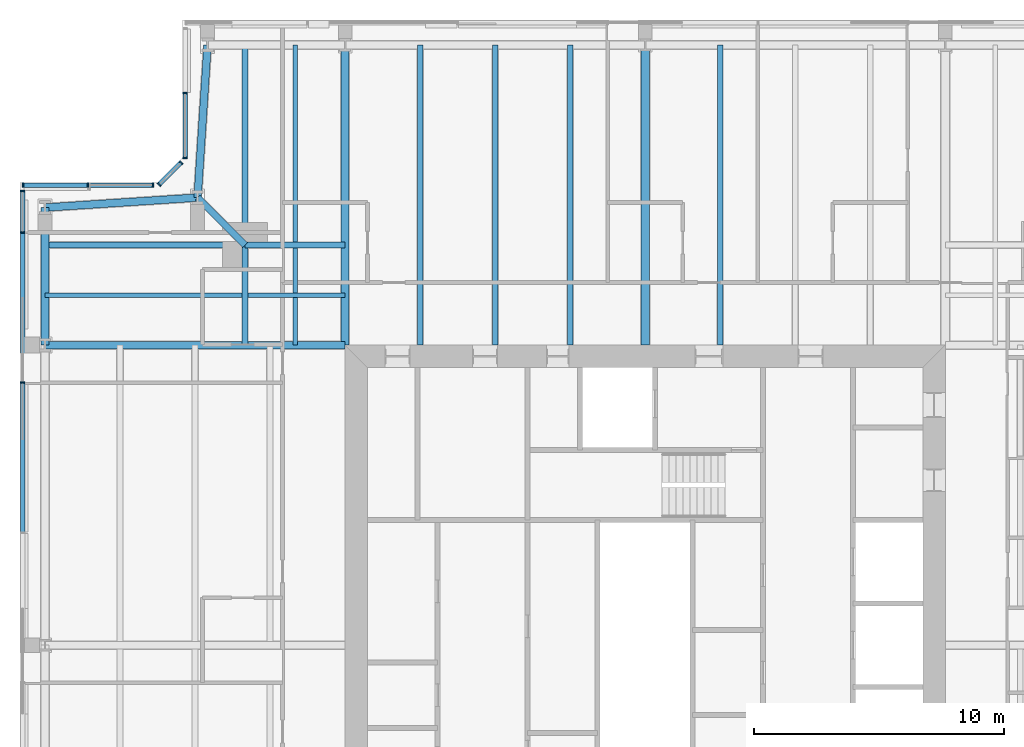
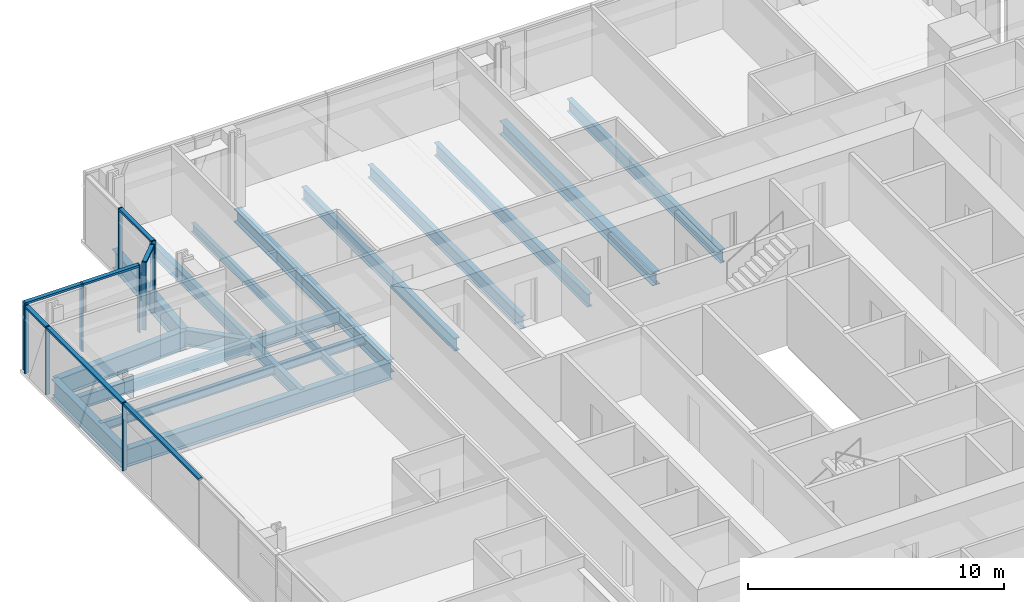
# One storey, part 7 of 20: 20 beams, 17 members, 4 elements without a shape of their own.
"""IFC4 building model written with IfcOpenShell, lengths in metres."""

from ifc_helpers import new_model, si_unit, direction, frame, origin, origin_2d, place, context, subcontext, project, spatial, rectangle, i_section, extrude, material, material_profile, profile_set, type_object, element, aggregate, save


model = new_model("IFC4")

# Units and contexts
model_context = context("Model", 3, precision=1e-05, world=origin(), true_north=direction((0.0, 1.0)))
body_context = subcontext(model_context, "Body", "Model", "MODEL_VIEW")
ifc_project = project(units=[si_unit("LENGTHUNIT", "METRE"), si_unit("AREAUNIT", "SQUARE_METRE"), si_unit("VOLUMEUNIT", "CUBIC_METRE"), si_unit("PLANEANGLEUNIT", "RADIAN"), si_unit("MASSUNIT", "GRAM", prefix="KILO")], contexts=[model_context])

# Site, building, storey
site_placement = place(None, origin())
site = spatial("IfcSite", under=ifc_project, at=site_placement, CompositionType="ELEMENT")
building_placement = place(site_placement, origin())
building = spatial("IfcBuilding", under=site, at=building_placement, Name="Fenwick Lantern Interchange", CompositionType="ELEMENT")
storey_placement = place(building_placement, frame((0.0, 0.0, 286.60009765625)))
storey = spatial("IfcBuildingStorey", under=building, at=storey_placement, Name="L69", CompositionType="ELEMENT", Elevation=286.60009765625)

# Beams
ifc_material_1 = material(Name="Steel ASTM A992 Grade 50", Category="steel")
ifc_material_profile_1 = material_profile(ifc_material_1, i_section(OverallWidth=0.3046875, OverallDepth=0.911865234375, WebThickness=0.015869140625, FlangeThickness=0.02392578125, at=origin_2d()), Name="W36X150")
ifc_profile_set_1 = profile_set([ifc_material_profile_1], Name="Steel ASTM A992 Grade 50")
beam_type_1 = type_object("IfcBeamType", Name="EDGE BEAM W36X150", PredefinedType="SPANDREL", material=ifc_profile_set_1)
for number, where, z_axis, x_axis, name in (
    (1, (7.5, 49.0, -0.60595703125), (-0.065416293237, -0.997858060337, 0.0), (0.997858060337, -0.065416293237, 0.0), "L69/FR/N/EBR1"),
    (2, (7.10009765625, 42.89990234375, -0.60595703125), (-0.997858060337, -0.065416293237, 0.0), (0.065416293237, -0.997858060337, 0.0), "L69/FR/N/EBR2"),
):
    element("IfcBeam", number, at=place(storey_placement, frame(where, z_axis=z_axis, x_axis=x_axis)), inside=storey, type_object=beam_type_1, Name=name, PredefinedType="SPANDREL", context=body_context, shape_type="SweptSolid", body=[
        extrude(i_section(OverallWidth=0.3046875, OverallDepth=0.911865234375, WebThickness=0.015869140625, FlangeThickness=0.02392578125, at=origin_2d()), origin(), (0.0, 0.0, 1.0), 6.11328125),
    ])
beam_1_placement = place(storey_placement, frame((1.0, 42.5, -0.60595703125), z_axis=(0.0, -1.0, 0.0), x_axis=(1.0, 0.0, 0.0)))
element("IfcBeam", 3, at=beam_1_placement, inside=storey, type_object=beam_type_1, Name="L69/FR/W/EB1", PredefinedType="SPANDREL", context=body_context, shape_type="SweptSolid", body=[
    extrude(i_section(OverallWidth=0.3046875, OverallDepth=0.911865234375, WebThickness=0.015869140625, FlangeThickness=0.02392578125, at=origin_2d()), origin(), (0.0, 0.0, 1.0), 5.5),
])
ifc_material_profile_2 = material_profile(ifc_material_1, i_section(OverallWidth=0.22900390625, OverallDepth=0.612060546875, WebThickness=0.011962890625, FlangeThickness=0.01953125, at=origin_2d()), Name="W24X84")
ifc_profile_set_2 = profile_set([ifc_material_profile_2], Name="Steel ASTM A992 Grade 50")
beam_type_2 = type_object("IfcBeamType", Name="FLOOR BEAM W24X84", PredefinedType="BEAM", material=ifc_profile_set_2)
for number, where, z_axis, x_axis, name in (
    (4, (28.0, 49.0, -0.4560546875), (0.0, -1.0, 0.0), (1.0, 0.0, 0.0), "L69/FR/N/R04"),
    (5, (22.0, 49.0, -0.4560546875), (0.0, -1.0, 0.0), (1.0, 0.0, 0.0), "L69/FR/N/R06"),
    (6, (19.0, 49.0, -0.4560546875), (0.0, -1.0, 0.0), (1.0, 0.0, 0.0), "L69/FR/N/R07"),
    (7, (16.0, 49.0, -0.4560546875), (0.0, -1.0, 0.0), (1.0, 0.0, 0.0), "L69/FR/N/R08"),
):
    element("IfcBeam", number, at=place(storey_placement, frame(where, z_axis=z_axis, x_axis=x_axis)), inside=storey, type_object=beam_type_2, Name=name, PredefinedType="BEAM", context=body_context, shape_type="SweptSolid", body=[
        extrude(i_section(OverallWidth=0.22900390625, OverallDepth=0.612060546875, WebThickness=0.011962890625, FlangeThickness=0.01953125, at=origin_2d()), origin(), (0.0, 0.0, 1.0), 12.0),
    ])

# Curtain wall, members
ifc_material_2 = material(Name="Aluminium curtain wall frame", Category="aluminium")
curtain_wall_type = type_object("IfcCurtainWallType", Name="HOTEL CURTAIN WALL", PredefinedType="USERDEFINED", material=ifc_material_2)
curtain_wall_1_placement = place(storey_placement, origin())
curtain_wall_1 = element("IfcCurtainWall", 8, at=curtain_wall_1_placement, inside=storey, type_object=curtain_wall_type, Name="Hotel curtain wall 10", ObjectType="HOTEL CURTAIN WALL", PredefinedType="USERDEFINED")
ifc_material_3 = material(Name="Aluminium extrusion", Category="aluminium")
ifc_material_profile_3 = material_profile(ifc_material_3, rectangle(XDim=0.179931640625, YDim=0.06005859375, at=origin_2d()), Name="HOTEL CURTAIN WALL MULLION 60 X 180")
ifc_profile_set_3 = profile_set([ifc_material_profile_3], Name="Aluminium extrusion")
member_type_1 = type_object("IfcMemberType", Name="HOTEL CURTAIN WALL MULLION 60 X 180", PredefinedType="MULLION", material=ifc_profile_set_3)
member_1_placement = place(storey_placement, frame((6.60009765625, 47.079345703125, 0.0), z_axis=(0.0, 0.0, 1.0), x_axis=(1.0, 0.0, 0.0)))
member_1 = element("IfcMember", 9, at=member_1_placement, type_object=member_type_1, Name="L69/CW/10/M01", PredefinedType="MULLION", context=body_context, shape_type="SweptSolid", body=[
    extrude(rectangle(XDim=0.179931640625, YDim=0.06005859375, at=origin_2d()), origin(), (0.0, 0.0, 1.0), 3.25),
])
member_2_placement = place(storey_placement, frame((6.60009765625, 44.488525390625, 0.0), z_axis=(0.0, 0.0, 1.0), x_axis=(1.0, 0.0, 0.0)))
member_2 = element("IfcMember", 10, at=member_2_placement, type_object=member_type_1, Name="L69/CW/10/M02", PredefinedType="MULLION", context=body_context, shape_type="SweptSolid", body=[
    extrude(rectangle(XDim=0.179931640625, YDim=0.06005859375, at=origin_2d()), origin(), (0.0, 0.0, 1.0), 3.25),
])

curtain_wall_2_placement = place(storey_placement, origin())
curtain_wall_2 = element("IfcCurtainWall", 11, at=curtain_wall_2_placement, inside=storey, type_object=curtain_wall_type, Name="Hotel curtain wall 11", ObjectType="HOTEL CURTAIN WALL", PredefinedType="USERDEFINED")
member_3_placement = place(storey_placement, frame((6.437255859375, 44.2958984375, 0.0), z_axis=(0.0, 0.0, 1.0), x_axis=(0.707106781187, -0.707106781187, 0.0)))
member_3 = element("IfcMember", 12, at=member_3_placement, type_object=member_type_1, Name="L69/CW/11/M00", PredefinedType="MULLION", context=body_context, shape_type="SweptSolid", body=[
    extrude(rectangle(XDim=0.179931640625, YDim=0.06005859375, at=origin_2d()), origin(), (0.0, 0.0, 1.0), 3.25),
])
member_4_placement = place(storey_placement, frame((5.562744140625, 43.421142578125, 0.0), z_axis=(0.0, 0.0, 1.0), x_axis=(0.707106781187, -0.707106781187, 0.0)))
member_4 = element("IfcMember", 13, at=member_4_placement, type_object=member_type_1, Name="L69/CW/11/M01", PredefinedType="MULLION", context=body_context, shape_type="SweptSolid", body=[
    extrude(rectangle(XDim=0.179931640625, YDim=0.06005859375, at=origin_2d()), origin(), (0.0, 0.0, 1.0), 3.25),
])

curtain_wall_3_placement = place(storey_placement, origin())
curtain_wall_3 = element("IfcCurtainWall", 14, at=curtain_wall_3_placement, inside=storey, type_object=curtain_wall_type, Name="Hotel curtain wall 12", ObjectType="HOTEL CURTAIN WALL", PredefinedType="USERDEFINED")
member_5_placement = place(storey_placement, frame((5.3115234375, 43.39990234375, 0.0), z_axis=(0.0, 0.0, 1.0), x_axis=(0.0, -1.0, 0.0)))
member_5 = element("IfcMember", 15, at=member_5_placement, type_object=member_type_1, Name="L69/CW/12/M00", PredefinedType="MULLION", context=body_context, shape_type="SweptSolid", body=[
    extrude(rectangle(XDim=0.179931640625, YDim=0.06005859375, at=origin_2d()), origin(), (0.0, 0.0, 1.0), 3.25),
])
member_6_placement = place(storey_placement, frame((2.720703125, 43.39990234375, 0.0), z_axis=(0.0, 0.0, 1.0), x_axis=(0.0, -1.0, 0.0)))
member_6 = element("IfcMember", 16, at=member_6_placement, type_object=member_type_1, Name="L69/CW/12/M01", PredefinedType="MULLION", context=body_context, shape_type="SweptSolid", body=[
    extrude(rectangle(XDim=0.179931640625, YDim=0.06005859375, at=origin_2d()), origin(), (0.0, 0.0, 1.0), 3.25),
])
member_7_placement = place(storey_placement, frame((0.1298828125, 43.39990234375, 0.0), z_axis=(0.0, 0.0, 1.0), x_axis=(0.0, -1.0, 0.0)))
member_7 = element("IfcMember", 17, at=member_7_placement, type_object=member_type_1, Name="L69/CW/12/M02", PredefinedType="MULLION", context=body_context, shape_type="SweptSolid", body=[
    extrude(rectangle(XDim=0.179931640625, YDim=0.06005859375, at=origin_2d()), origin(), (0.0, 0.0, 1.0), 3.25),
])

curtain_wall_4_placement = place(storey_placement, origin())
curtain_wall_4 = element("IfcCurtainWall", 18, at=curtain_wall_4_placement, inside=storey, type_object=curtain_wall_type, Name="Hotel curtain wall 13", ObjectType="HOTEL CURTAIN WALL", PredefinedType="USERDEFINED")
member_8_placement = place(storey_placement, frame((0.10009765625, 43.169921875, 0.0), z_axis=(0.0, 0.0, 1.0), x_axis=(1.0, 0.0, 0.0)))
member_8 = element("IfcMember", 19, at=member_8_placement, type_object=member_type_1, Name="L69/CW/13/M00", PredefinedType="MULLION", context=body_context, shape_type="SweptSolid", body=[
    extrude(rectangle(XDim=0.179931640625, YDim=0.06005859375, at=origin_2d()), origin(), (0.0, 0.0, 1.0), 3.25),
])
member_9_placement = place(storey_placement, frame((0.10009765625, 41.5, 0.0), z_axis=(0.0, 0.0, 1.0), x_axis=(1.0, 0.0, 0.0)))
member_9 = element("IfcMember", 20, at=member_9_placement, type_object=member_type_1, Name="L69/CW/13/M01", PredefinedType="MULLION", context=body_context, shape_type="SweptSolid", body=[
    extrude(rectangle(XDim=0.179931640625, YDim=0.06005859375, at=origin_2d()), origin(), (0.0, 0.0, 1.0), 3.25),
])
member_10_placement = place(storey_placement, frame((0.10009765625, 35.5, 0.0), z_axis=(0.0, 0.0, 1.0), x_axis=(1.0, 0.0, 0.0)))
member_10 = element("IfcMember", 21, at=member_10_placement, type_object=member_type_1, Name="L69/CW/13/M02", PredefinedType="MULLION", context=body_context, shape_type="SweptSolid", body=[
    extrude(rectangle(XDim=0.179931640625, YDim=0.06005859375, at=origin_2d()), origin(), (0.0, 0.0, 1.0), 3.25),
])

# Member
ifc_material_profile_4 = material_profile(ifc_material_3, rectangle(XDim=0.179931640625, YDim=0.10009765625, at=origin_2d()), Name="HOTEL CURTAIN WALL TRANSOM 100 X 180")
ifc_profile_set_4 = profile_set([ifc_material_profile_4], Name="Aluminium extrusion")
member_type_2 = type_object("IfcMemberType", Name="HOTEL CURTAIN WALL TRANSOM 100 X 180", PredefinedType="MULLION", material=ifc_profile_set_4)
member_11_placement = place(storey_placement, frame((6.60009765625, 47.04931640625, 3.199951171875), z_axis=(0.0, -1.0, 0.0), x_axis=(1.0, 0.0, 0.0)))
member_11 = element("IfcMember", 22, at=member_11_placement, type_object=member_type_2, Name="L69/CW/10/T01", PredefinedType="MULLION", context=body_context, shape_type="SweptSolid", body=[
    extrude(rectangle(XDim=0.179931640625, YDim=0.10009765625, at=origin_2d()), origin(), (0.0, 0.0, 1.0), 2.53076171875),
])

aggregate(curtain_wall_1, [member_1, member_2, member_11])

member_12_placement = place(storey_placement, frame((6.416259765625, 44.274658203125, 3.199951171875), z_axis=(-0.707210470133, -0.707003077033, 0.0), x_axis=(0.707003077033, -0.707210470133, 0.0)))
member_12 = element("IfcMember", 23, at=member_12_placement, type_object=member_type_2, Name="L69/CW/11/T00", PredefinedType="MULLION", context=body_context, shape_type="SweptSolid", body=[
    extrude(rectangle(XDim=0.179931640625, YDim=0.10009765625, at=origin_2d()), origin(), (0.0, 0.0, 1.0), 1.17724609375),
])

aggregate(curtain_wall_2, [member_3, member_4, member_12])

member_13_placement = place(storey_placement, frame((5.281494140625, 43.39990234375, 3.199951171875), z_axis=(-1.0, 0.0, 0.0), x_axis=(0.0, -1.0, 0.0)))
member_13 = element("IfcMember", 24, at=member_13_placement, type_object=member_type_2, Name="L69/CW/12/T00", PredefinedType="MULLION", context=body_context, shape_type="SweptSolid", body=[
    extrude(rectangle(XDim=0.179931640625, YDim=0.10009765625, at=origin_2d()), origin(), (0.0, 0.0, 1.0), 2.53076171875),
])

member_14_placement = place(storey_placement, frame((2.690673828125, 43.39990234375, 3.199951171875), z_axis=(-1.0, 0.0, 0.0), x_axis=(0.0, -1.0, 0.0)))
member_14 = element("IfcMember", 25, at=member_14_placement, type_object=member_type_2, Name="L69/CW/12/T01", PredefinedType="MULLION", context=body_context, shape_type="SweptSolid", body=[
    extrude(rectangle(XDim=0.179931640625, YDim=0.10009765625, at=origin_2d()), origin(), (0.0, 0.0, 1.0), 2.53076171875),
])

aggregate(curtain_wall_3, [member_5, member_6, member_7, member_13, member_14])

member_15_placement = place(storey_placement, frame((0.10009765625, 43.139892578125, 3.199951171875), z_axis=(0.0, -1.0, 0.0), x_axis=(1.0, 0.0, 0.0)))
member_15 = element("IfcMember", 26, at=member_15_placement, type_object=member_type_2, Name="L69/CW/13/T00", PredefinedType="MULLION", context=body_context, shape_type="SweptSolid", body=[
    extrude(rectangle(XDim=0.179931640625, YDim=0.10009765625, at=origin_2d()), origin(), (0.0, 0.0, 1.0), 1.60986328125),
])

member_16_placement = place(storey_placement, frame((0.10009765625, 41.469970703125, 3.199951171875), z_axis=(0.0, -1.0, 0.0), x_axis=(1.0, 0.0, 0.0)))
member_16 = element("IfcMember", 27, at=member_16_placement, type_object=member_type_2, Name="L69/CW/13/T01", PredefinedType="MULLION", context=body_context, shape_type="SweptSolid", body=[
    extrude(rectangle(XDim=0.179931640625, YDim=0.10009765625, at=origin_2d()), origin(), (0.0, 0.0, 1.0), 5.93994140625),
])

member_17_placement = place(storey_placement, frame((0.10009765625, 35.469970703125, 3.199951171875), z_axis=(0.0, -1.0, 0.0), x_axis=(1.0, 0.0, 0.0)))
member_17 = element("IfcMember", 28, at=member_17_placement, type_object=member_type_2, Name="L69/CW/13/T02", PredefinedType="MULLION", context=body_context, shape_type="SweptSolid", body=[
    extrude(rectangle(XDim=0.179931640625, YDim=0.10009765625, at=origin_2d()), origin(), (0.0, 0.0, 1.0), 5.93994140625),
])

aggregate(curtain_wall_4, [member_8, member_9, member_10, member_15, member_16, member_17])

# Beams
ifc_material_profile_5 = material_profile(ifc_material_1, i_section(OverallWidth=0.177734375, OverallDepth=0.406494140625, WebThickness=0.0078125, FlangeThickness=0.012939453125, at=origin_2d()), Name="W16X40")
ifc_profile_set_5 = profile_set([ifc_material_profile_5], Name="Steel ASTM A992 Grade 50")
beam_type_3 = type_object("IfcBeamType", Name="INFILL BEAM W16X40", PredefinedType="JOIST", material=ifc_profile_set_5)
beam_2_placement = place(storey_placement, frame((1.0, 39.0, -0.353271484375), z_axis=(1.0, 0.0, 0.0), x_axis=(0.0, 1.0, 0.0)))
element("IfcBeam", 29, at=beam_2_placement, inside=storey, type_object=beam_type_3, Name="L69/FR/W/J1", PredefinedType="JOIST", context=body_context, shape_type="SweptSolid", body=[
    extrude(i_section(OverallWidth=0.177734375, OverallDepth=0.406494140625, WebThickness=0.0078125, FlangeThickness=0.012939453125, at=origin_2d()), origin(), (0.0, 0.0, 1.0), 7.885498046875),
])
beam_3_placement = place(storey_placement, frame((9.114501953125, 39.0, -0.353271484375), z_axis=(1.0, 0.0, 0.0), x_axis=(0.0, 1.0, 0.0)))
element("IfcBeam", 30, at=beam_3_placement, inside=storey, type_object=beam_type_3, Name="L69/FR/W/J2", PredefinedType="JOIST", context=body_context, shape_type="SweptSolid", body=[
    extrude(i_section(OverallWidth=0.177734375, OverallDepth=0.406494140625, WebThickness=0.0078125, FlangeThickness=0.012939453125, at=origin_2d()), origin(), (0.0, 0.0, 1.0), 3.885498046875),
])
beam_4_placement = place(storey_placement, frame((11.0, 49.0, -0.353271484375), z_axis=(0.0, -1.0, 0.0), x_axis=(1.0, 0.0, 0.0)))
element("IfcBeam", 31, at=beam_4_placement, inside=storey, type_object=beam_type_3, Name="L69/FR/W/J3", PredefinedType="JOIST", context=body_context, shape_type="SweptSolid", body=[
    extrude(i_section(OverallWidth=0.177734375, OverallDepth=0.406494140625, WebThickness=0.0078125, FlangeThickness=0.012939453125, at=origin_2d()), origin(), (0.0, 0.0, 1.0), 7.885498046875),
])
beam_5_placement = place(storey_placement, frame((11.0, 40.885498046875, -0.353271484375), z_axis=(0.0, -1.0, 0.0), x_axis=(1.0, 0.0, 0.0)))
element("IfcBeam", 32, at=beam_5_placement, inside=storey, type_object=beam_type_3, Name="L69/FR/W/J4", PredefinedType="JOIST", context=body_context, shape_type="SweptSolid", body=[
    extrude(i_section(OverallWidth=0.177734375, OverallDepth=0.406494140625, WebThickness=0.0078125, FlangeThickness=0.012939453125, at=origin_2d()), origin(), (0.0, 0.0, 1.0), 1.796630859375),
])
beam_6_placement = place(storey_placement, frame((11.0, 38.9111328125, -0.353271484375), z_axis=(0.0, -1.0, 0.0), x_axis=(1.0, 0.0, 0.0)))
element("IfcBeam", 33, at=beam_6_placement, inside=storey, type_object=beam_type_3, Name="L69/FR/W/J5", PredefinedType="JOIST", context=body_context, shape_type="SweptSolid", body=[
    extrude(i_section(OverallWidth=0.177734375, OverallDepth=0.406494140625, WebThickness=0.0078125, FlangeThickness=0.012939453125, at=origin_2d()), origin(), (0.0, 0.0, 1.0), 1.9111328125),
])
ifc_material_profile_6 = material_profile(ifc_material_1, i_section(OverallWidth=0.22900390625, OverallDepth=0.612060546875, WebThickness=0.011962890625, FlangeThickness=0.01953125, at=origin_2d()), Name="W24X84")
ifc_profile_set_6 = profile_set([ifc_material_profile_6], Name="Steel ASTM A992 Grade 50")
beam_type_4 = type_object("IfcBeamType", Name="MEGA COLUMN BEAM W24X84", PredefinedType="BEAM", material=ifc_profile_set_6)
for number, where, z_axis, x_axis, name in (
    (34, (9.0, 41.0, -0.4560546875), (-1.0, 0.0, 0.0), (0.0, -1.0, 0.0), "L69/FR/W/MB1"),
    (35, (9.0, 41.0, -0.4560546875), (0.0, 1.0, 0.0), (-1.0, 0.0, 0.0), "L69/FR/W/MB2"),
):
    element("IfcBeam", number, at=place(storey_placement, frame(where, z_axis=z_axis, x_axis=x_axis)), inside=storey, type_object=beam_type_4, Name=name, PredefinedType="BEAM", context=body_context, shape_type="SweptSolid", body=[
        extrude(i_section(OverallWidth=0.22900390625, OverallDepth=0.612060546875, WebThickness=0.011962890625, FlangeThickness=0.01953125, at=origin_2d()), origin(), (0.0, 0.0, 1.0), 8.0),
    ])
for number, where, z_axis, x_axis, name in (
    (36, (9.0, 41.0, -0.4560546875), (0.0, -1.0, 0.0), (1.0, 0.0, 0.0), "L69/FR/W/MB3"),
    (37, (9.0, 41.0, -0.4560546875), (1.0, 0.0, 0.0), (0.0, 1.0, 0.0), "L69/FR/W/MB4"),
):
    element("IfcBeam", number, at=place(storey_placement, frame(where, z_axis=z_axis, x_axis=x_axis)), inside=storey, type_object=beam_type_4, Name=name, PredefinedType="BEAM", context=body_context, shape_type="SweptSolid", body=[
        extrude(i_section(OverallWidth=0.22900390625, OverallDepth=0.612060546875, WebThickness=0.011962890625, FlangeThickness=0.01953125, at=origin_2d()), origin(), (0.0, 0.0, 1.0), 4.0),
    ])
ifc_material_profile_7 = material_profile(ifc_material_1, i_section(OverallWidth=0.32763671875, OverallDepth=0.622314453125, WebThickness=0.015380859375, FlangeThickness=0.0244140625, at=origin_2d()), Name="W24X131")
ifc_profile_set_7 = profile_set([ifc_material_profile_7], Name="Steel ASTM A992 Grade 50")
beam_type_5 = type_object("IfcBeamType", Name="MOMENT-CONNECTED GIRDER W24X131", PredefinedType="BEAM", material=ifc_profile_set_7)
for number, where, z_axis, x_axis, name in (
    (38, (25.0, 49.0, -0.461181640625), (0.0, -1.0, 0.0), (1.0, 0.0, 0.0), "L69/FR/N/R05"),
    (39, (13.0, 49.0, -0.461181640625), (0.0, -1.0, 0.0), (1.0, 0.0, 0.0), "L69/FR/N/R09"),
):
    element("IfcBeam", number, at=place(storey_placement, frame(where, z_axis=z_axis, x_axis=x_axis)), inside=storey, type_object=beam_type_5, Name=name, PredefinedType="BEAM", context=body_context, shape_type="SweptSolid", body=[
        extrude(i_section(OverallWidth=0.32763671875, OverallDepth=0.622314453125, WebThickness=0.015380859375, FlangeThickness=0.0244140625, at=origin_2d()), origin(), (0.0, 0.0, 1.0), 12.0),
    ])
ifc_material_profile_8 = material_profile(ifc_material_1, i_section(OverallWidth=0.2919921875, OverallDepth=0.845703125, WebThickness=0.015380859375, FlangeThickness=0.0244140625, at=origin_2d()), Name="W33X141")
ifc_profile_set_8 = profile_set([ifc_material_profile_8], Name="Steel ASTM A992 Grade 50")
beam_type_6 = type_object("IfcBeamType", Name="MOMENT-CONNECTED GIRDER W33X141", PredefinedType="BEAM", material=ifc_profile_set_8)
beam_7_placement = place(storey_placement, frame((1.0, 37.0, -0.572998046875), z_axis=(1.0, 0.0, 0.0), x_axis=(0.0, 1.0, 0.0)))
element("IfcBeam", 40, at=beam_7_placement, inside=storey, type_object=beam_type_6, Name="L69/FR/W/R01", PredefinedType="BEAM", context=body_context, shape_type="SweptSolid", body=[
    extrude(i_section(OverallWidth=0.2919921875, OverallDepth=0.845703125, WebThickness=0.015380859375, FlangeThickness=0.0244140625, at=origin_2d()), origin(), (0.0, 0.0, 1.0), 12.0),
])
ifc_material_profile_9 = material_profile(ifc_material_1, i_section(OverallWidth=0.2666015625, OverallDepth=0.7568359375, WebThickness=0.013916015625, FlangeThickness=0.019287109375, at=origin_2d()), Name="W30X108")
ifc_profile_set_9 = profile_set([ifc_material_profile_9], Name="Steel ASTM A992 Grade 50")
beam_type_7 = type_object("IfcBeamType", Name="NOTCH BEAM W30X108", PredefinedType="BEAM", material=ifc_profile_set_9)
beam_8_placement = place(storey_placement, frame((9.0, 41.0, -0.528564453125), z_axis=(-0.707106781187, 0.707106781187, 0.0), x_axis=(-0.707106781187, -0.707106781187, 0.0)))
element("IfcBeam", 41, at=beam_8_placement, inside=storey, type_object=beam_type_7, Name="L69/FR/W/TG", PredefinedType="BEAM", context=body_context, shape_type="SweptSolid", body=[
    extrude(i_section(OverallWidth=0.2666015625, OverallDepth=0.7568359375, WebThickness=0.013916015625, FlangeThickness=0.019287109375, at=origin_2d()), origin(), (0.0, 0.0, 1.0), 2.686767578125),
])

save(model, "model.ifc")
